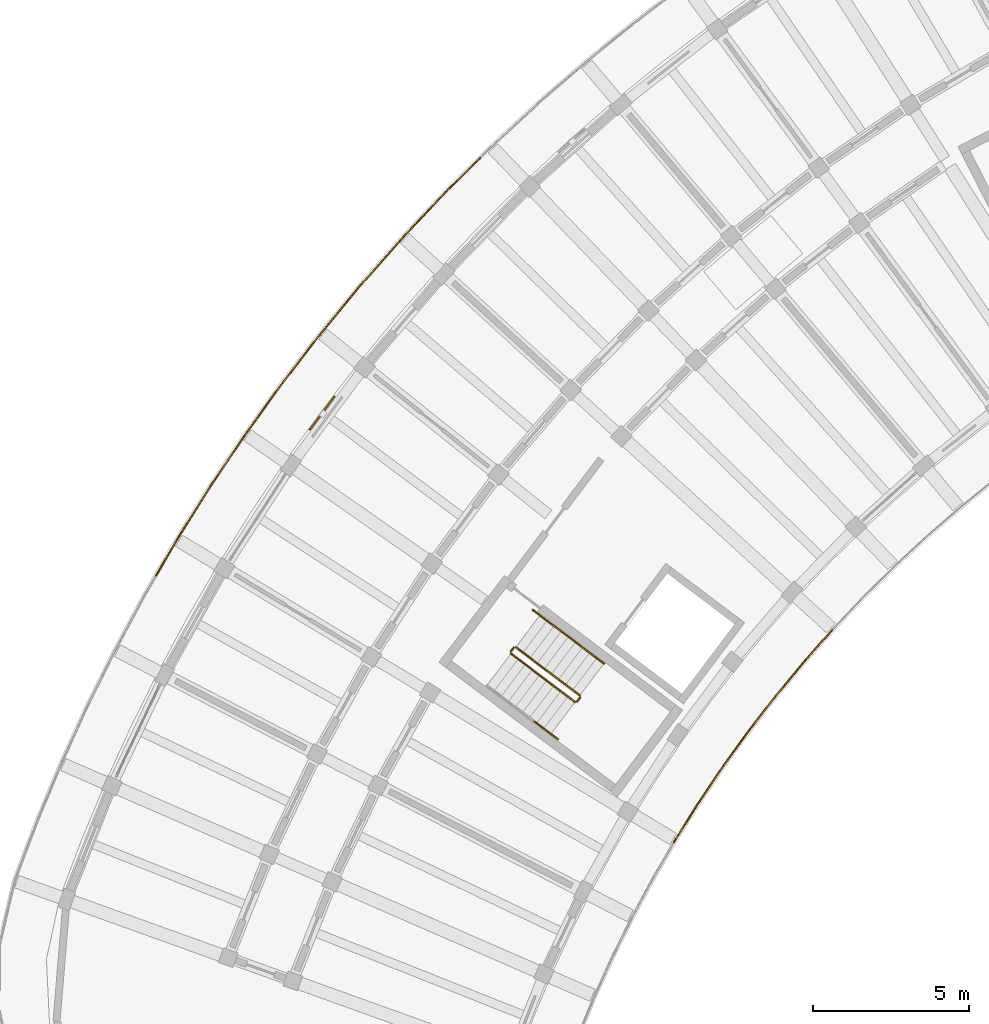
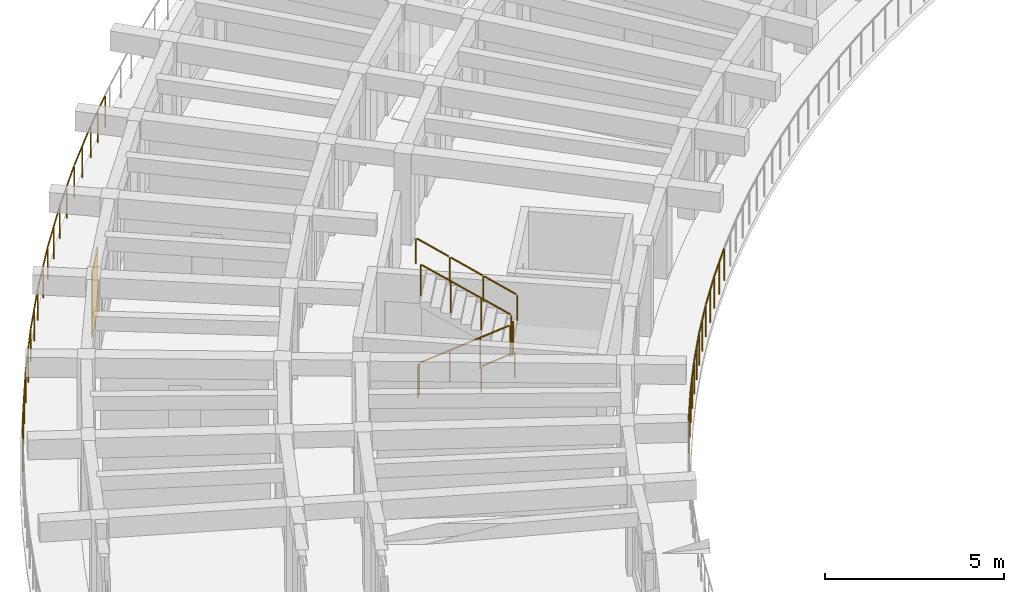
# One storey, part 53 of 62: 11 railings, 1 shading device.
"""IFC4 building model written with IfcOpenShell, lengths in metres."""

from ifc_helpers import new_model, si_unit, direction, frame, origin, origin_2d, place, context, subcontext, project, spatial, rectangle, circle, extrude, material, layer, layer_set, type_object, element, save


model = new_model("IFC4")

# Units and contexts
model_context = context("Model", 3, precision=1e-05, world=origin(), true_north=direction((0.0, 1.0)))
body_context = subcontext(model_context, "Body", "Model", "MODEL_VIEW")
ifc_project = project(units=[si_unit("LENGTHUNIT", "METRE"), si_unit("AREAUNIT", "SQUARE_METRE"), si_unit("VOLUMEUNIT", "CUBIC_METRE"), si_unit("PLANEANGLEUNIT", "RADIAN"), si_unit("MASSUNIT", "GRAM", prefix="KILO")], contexts=[model_context])

# Site, building, storey
site_placement = place(None, origin())
site = spatial("IfcSite", under=ifc_project, at=site_placement, CompositionType="ELEMENT")
building_placement = place(site_placement, origin())
building = spatial("IfcBuilding", under=site, at=building_placement, Name="Tanwirah Colonnade Gardens", CompositionType="ELEMENT")
storey_placement = place(building_placement, frame((0.0, 0.0, 32.360107421875)))
storey = spatial("IfcBuildingStorey", under=building, at=storey_placement, Name="L09", CompositionType="ELEMENT", Elevation=32.360107421875)

# Railings
ifc_material_1 = material(Name="Precast concrete C40/50", Category="concrete")
railing_type_1 = type_object("IfcRailingType", Name="BAL-EXT112", PredefinedType="BALUSTRADE", material=ifc_material_1)
railing_1_placement = place(storey_placement, frame((33.495361328125, 88.99267578125, 0.0)))
element("IfcRailing", 1, at=railing_1_placement, inside=storey, type_object=railing_type_1, Name="Block A L09 Balcony Ribbon Balustrade 5", PredefinedType="BALUSTRADE", context=body_context, shape_type="SweptSolid", body=[
    extrude(circle(Radius=0.02392578125, at=origin_2d()), frame((-0.020751953125, -0.0234375, 1.09619140625), z_axis=(-0.662607966926, -0.748966409238, 0.0), x_axis=(0.748966409238, -0.662607966926, 0.0)), (0.0, 0.0, 1.0), 1.328369140625),
    extrude(circle(Radius=0.02392578125, at=origin_2d()), frame((-0.943359375, -1.06787109375, 1.09619140625), z_axis=(-0.637581943595, -0.770382544715, 0.0), x_axis=(0.770382544715, -0.637581943595, 0.0)), (0.0, 0.0, 1.0), 1.342041015625),
    extrude(circle(Radius=0.02392578125, at=origin_2d()), frame((-1.839599609375, -2.15234375, 1.09619140625), z_axis=(-0.611783903817, -0.791024939576, 0.0), x_axis=(0.791024939576, -0.611783903817, 0.0)), (0.0, 0.0, 1.0), 1.341796875),
    extrude(circle(Radius=0.02392578125, at=origin_2d()), frame((-2.699462890625, -3.26611328125, 1.09619140625), z_axis=(-0.585522290474, -0.810656306556, 0.0), x_axis=(0.810656306556, -0.585522290474, 0.0)), (0.0, 0.0, 1.0), 1.341796875),
    extrude(circle(Radius=0.02392578125, at=origin_2d()), frame((-3.5224609375, -4.4072265625, 1.09619140625), z_axis=(-0.558385571779, -0.829581553091, 0.0), x_axis=(0.829581553091, -0.558385571779, 0.0)), (0.0, 0.0, 1.0), 1.341796875),
    extrude(circle(Radius=0.02392578125, at=origin_2d()), frame((-4.30712890625, -5.5751953125, 1.09619140625), z_axis=(-0.530764445851, -0.847519382091, 0.0), x_axis=(0.847519382091, -0.530764445851, 0.0)), (0.0, 0.0, 1.0), 1.341796875),
    extrude(circle(Radius=0.02392578125, at=origin_2d()), frame((-5.052978515625, -6.76806640625, 1.09619140625), z_axis=(-0.500901944117, -0.865504039494, 0.0), x_axis=(0.865504039494, -0.500901944117, 0.0)), (0.0, 0.0, 1.0), 0.009033203125),
    extrude(circle(Radius=0.02099609375, at=origin_2d()), origin(), (0.0, 0.0, 1.0), 1.069091796875),
    extrude(circle(Radius=0.02099609375, at=origin_2d()), frame((-0.4609375, -0.52099609375, 0.0)), (0.0, 0.0, 1.0), 1.069091796875),
    extrude(circle(Radius=0.02099609375, at=origin_2d()), frame((-0.921630859375, -1.041748046875, 0.0)), (0.0, 0.0, 1.0), 1.069091796875),
    extrude(circle(Radius=0.02099609375, at=origin_2d()), frame((-1.37109375, -1.584716796875, 0.0)), (0.0, 0.0, 1.0), 1.069091796875),
    extrude(circle(Radius=0.02099609375, at=origin_2d()), frame((-1.81884765625, -2.125732421875, 0.0)), (0.0, 0.0, 1.0), 1.069091796875),
    extrude(circle(Radius=0.02099609375, at=origin_2d()), frame((-2.25, -2.68310546875, 0.0)), (0.0, 0.0, 1.0), 1.069091796875),
    extrude(circle(Radius=0.02099609375, at=origin_2d()), frame((-2.6796875, -3.238525390625, 0.0)), (0.0, 0.0, 1.0), 1.069091796875),
    extrude(circle(Radius=0.02099609375, at=origin_2d()), frame((-3.09228515625, -3.81005859375, 0.0)), (0.0, 0.0, 1.0), 1.069091796875),
    extrude(circle(Radius=0.02099609375, at=origin_2d()), frame((-3.50341796875, -4.379150390625, 0.0)), (0.0, 0.0, 1.0), 1.069091796875),
    extrude(circle(Radius=0.02099609375, at=origin_2d()), frame((-3.89697265625, -4.9638671875, 0.0)), (0.0, 0.0, 1.0), 1.069091796875),
    extrude(circle(Radius=0.02099609375, at=origin_2d()), frame((-4.2890625, -5.54638671875, 0.0)), (0.0, 0.0, 1.0), 1.069091796875),
    extrude(circle(Radius=0.02099609375, at=origin_2d()), frame((-4.6630859375, -6.1435546875, 0.0)), (0.0, 0.0, 1.0), 1.069091796875),
    extrude(circle(Radius=0.02099609375, at=origin_2d()), frame((-5.035888671875, -6.73876953125, 0.0)), (0.0, 0.0, 1.0), 1.069091796875),
    extrude(circle(Radius=0.02099609375, at=origin_2d()), frame((-5.0732421875, -6.802978515625, 0.0)), (0.0, 0.0, 1.0), 1.069091796875),
])
railing_2_placement = place(storey_placement, frame((11.830322265625, 90.732177734375, 0.0)))
element("IfcRailing", 2, at=railing_2_placement, inside=storey, type_object=railing_type_1, Name="Block A L09 Balcony Ribbon Balustrade 12", PredefinedType="BALUSTRADE", context=body_context, shape_type="SweptSolid", body=[
    extrude(circle(Radius=0.02392578125, at=origin_2d()), frame((0.015625, 0.027099609375, 1.09619140625), z_axis=(0.502480307247, 0.864588654118, 0.0), x_axis=(-0.864588654118, 0.502480307247, 0.0)), (0.0, 0.0, 1.0), 1.269775390625),
    extrude(circle(Radius=0.02392578125, at=origin_2d()), frame((0.68603515625, 1.178466796875, 1.09619140625), z_axis=(0.530812919598, 0.847489023167, 0.0), x_axis=(-0.847489023167, 0.530812919598, 0.0)), (0.0, 0.0, 1.0), 1.958984375),
    extrude(circle(Radius=0.02392578125, at=origin_2d()), frame((1.759765625, 2.890869140625, 1.09619140625), z_axis=(0.558345997542, 0.829608188863, 0.0), x_axis=(-0.829608188863, 0.558345997542, 0.0)), (0.0, 0.0, 1.0), 1.958984375),
    extrude(circle(Radius=0.02392578125, at=origin_2d()), frame((2.889404296875, 4.5673828125, 1.09619140625), z_axis=(0.585468507287, 0.810695150457, 0.0), x_axis=(-0.810695150457, 0.585468507287, 0.0)), (0.0, 0.0, 1.0), 1.958984375),
    extrude(circle(Radius=0.02392578125, at=origin_2d()), frame((4.07373046875, 6.20556640625, 1.09619140625), z_axis=(0.611793792994, 0.791017291122, 0.0), x_axis=(-0.791017291122, 0.611793792994, 0.0)), (0.0, 0.0, 1.0), 1.040771484375),
    extrude(circle(Radius=0.02099609375, at=origin_2d()), origin(), (0.0, 0.0, 1.0), 1.069091796875),
    extrude(circle(Radius=0.02099609375, at=origin_2d()), frame((0.66943359375, 1.15185546875, 0.0)), (0.0, 0.0, 1.0), 1.069091796875),
    extrude(circle(Radius=0.02099609375, at=origin_2d()), frame((1.2060546875, 2.00830078125, 0.0)), (0.0, 0.0, 1.0), 1.069091796875),
    extrude(circle(Radius=0.02099609375, at=origin_2d()), frame((1.742431640625, 2.864990234375, 0.0)), (0.0, 0.0, 1.0), 1.069091796875),
    extrude(circle(Radius=0.02099609375, at=origin_2d()), frame((2.306640625, 3.70361328125, 0.0)), (0.0, 0.0, 1.0), 1.069091796875),
    extrude(circle(Radius=0.02099609375, at=origin_2d()), frame((2.87109375, 4.5419921875, 0.0)), (0.0, 0.0, 1.0), 1.069091796875),
    extrude(circle(Radius=0.02099609375, at=origin_2d()), frame((3.462890625, 5.361328125, 0.0)), (0.0, 0.0, 1.0), 1.069091796875),
    extrude(circle(Radius=0.02099609375, at=origin_2d()), frame((4.0546875, 6.180908203125, 0.0)), (0.0, 0.0, 1.0), 1.069091796875),
    extrude(circle(Radius=0.02099609375, at=origin_2d()), frame((4.729736328125, 7.0537109375, 0.0)), (0.0, 0.0, 1.0), 1.069091796875),
])
railing_3_placement = place(storey_placement, frame((16.56005859375, 97.785888671875, 0.0)))
element("IfcRailing", 3, at=railing_3_placement, inside=storey, type_object=railing_type_1, Name="Block A L09 Balcony Ribbon Balustrade 13", PredefinedType="BALUSTRADE", context=body_context, shape_type="SweptSolid", body=[
    extrude(circle(Radius=0.02392578125, at=origin_2d()), frame((0.01904296875, 0.024658203125, 1.09619140625), z_axis=(0.611931792554, 0.790910539354, 0.0), x_axis=(-0.790910539354, 0.611931792554, 0.0)), (0.0, 0.0, 1.0), 0.85546875),
    extrude(circle(Radius=0.02392578125, at=origin_2d()), frame((0.581787109375, 0.750244140625, 1.09619140625), z_axis=(0.637555355491, 0.770404548717, 0.0), x_axis=(-0.770404548717, 0.637555355491, 0.0)), (0.0, 0.0, 1.0), 1.958984375),
    extrude(circle(Radius=0.02392578125, at=origin_2d()), frame((1.871337890625, 2.306884765625, 1.09619140625), z_axis=(0.662607760508, 0.748966591854, 0.0), x_axis=(-0.748966591854, 0.662607760508, 0.0)), (0.0, 0.0, 1.0), 1.958740234375),
    extrude(circle(Radius=0.02392578125, at=origin_2d()), frame((3.21142578125, 3.820068359375, 1.09619140625), z_axis=(0.686960364449, 0.726694886232, 0.0), x_axis=(-0.726694886232, 0.686960364449, 0.0)), (0.0, 0.0, 1.0), 1.958984375),
    extrude(circle(Radius=0.02392578125, at=origin_2d()), frame((4.600830078125, 5.288330078125, 1.09619140625), z_axis=(0.71047657319, 0.703720853001, 0.0), x_axis=(-0.703720853001, 0.71047657319, 0.0)), (0.0, 0.0, 1.0), 1.455322265625),
    extrude(circle(Radius=0.02099609375, at=origin_2d()), origin(), (0.0, 0.0, 1.0), 1.069091796875),
    extrude(circle(Radius=0.02099609375, at=origin_2d()), frame((0.561767578125, 0.72607421875, 0.0)), (0.0, 0.0, 1.0), 1.069091796875),
    extrude(circle(Radius=0.02099609375, at=origin_2d()), frame((1.2060546875, 1.5048828125, 0.0)), (0.0, 0.0, 1.0), 1.069091796875),
    extrude(circle(Radius=0.02099609375, at=origin_2d()), frame((1.8505859375, 2.283447265625, 0.0)), (0.0, 0.0, 1.0), 1.069091796875),
    extrude(circle(Radius=0.02099609375, at=origin_2d()), frame((2.520263671875, 3.04052734375, 0.0)), (0.0, 0.0, 1.0), 1.069091796875),
    extrude(circle(Radius=0.02099609375, at=origin_2d()), frame((3.18994140625, 3.79736328125, 0.0)), (0.0, 0.0, 1.0), 1.069091796875),
    extrude(circle(Radius=0.02099609375, at=origin_2d()), frame((3.88427734375, 4.53173828125, 0.0)), (0.0, 0.0, 1.0), 1.069091796875),
    extrude(circle(Radius=0.02099609375, at=origin_2d()), frame((4.57861328125, 5.266357421875, 0.0)), (0.0, 0.0, 1.0), 1.069091796875),
    extrude(circle(Radius=0.02099609375, at=origin_2d()), frame((5.11767578125, 5.80029296875, 0.0)), (0.0, 0.0, 1.0), 1.069091796875),
    extrude(circle(Radius=0.02099609375, at=origin_2d()), frame((5.656982421875, 6.33447265625, 0.0)), (0.0, 0.0, 1.0), 1.069091796875),
])
ifc_material_2 = material(Name="Powder-coated galvanized steel", Category="steel")
railing_type_2 = type_object("IfcRailingType", Name="GRD-ST110", PredefinedType="GUARDRAIL", material=ifc_material_2)
railing_4_placement = place(storey_placement, frame((23.201416015625, 88.22900390625, 0.16796875)))
element("IfcRailing", 4, at=railing_4_placement, inside=storey, type_object=railing_type_2, Name="L09 ST-A2 stair guard 1", PredefinedType="GUARDRAIL", context=body_context, shape_type="SweptSolid", body=[
    extrude(circle(Radius=0.02392578125, at=origin_2d()), frame((0.021484375, -0.01611328125, 1.092041015625), z_axis=(0.688012363654, -0.518448596756, 0.507789365762), x_axis=(0.601810650199, 0.798638805285, 0.0)), (0.0, 0.0, 1.0), 2.9150390625),
    extrude(circle(Radius=0.02099609375, at=origin_2d()), origin(), (0.0, 0.0, 1.0), 1.049072265625),
    extrude(circle(Radius=0.02099609375, at=origin_2d()), frame((0.682861328125, -0.5146484375, 0.50390625)), (0.0, 0.0, 1.0), 1.049072265625),
    extrude(circle(Radius=0.02099609375, at=origin_2d()), frame((1.36572265625, -1.029052734375, 1.008056640625)), (0.0, 0.0, 1.0), 1.049072265625),
    extrude(circle(Radius=0.02099609375, at=origin_2d()), frame((2.048583984375, -1.543701171875, 1.511962890625)), (0.0, 0.0, 1.0), 1.049072265625),
])
railing_5_placement = place(storey_placement, frame((25.320068359375, 86.695068359375, 1.679931640625)))
element("IfcRailing", 5, at=railing_5_placement, inside=storey, type_object=railing_type_2, Name="L09 ST-A2 stair guard 2", PredefinedType="GUARDRAIL", context=body_context, shape_type="SweptSolid", body=[
    extrude(circle(Radius=0.02392578125, at=origin_2d()), frame((0.018798828125, 0.02490234375, 1.076171875), z_axis=(0.600975757569, 0.799267251183, 0.0), x_axis=(-0.799267251183, 0.600975757569, 0.0)), (0.0, 0.0, 1.0), 0.09765625),
    extrude(circle(Radius=0.02099609375, at=origin_2d()), origin(), (0.0, 0.0, 1.0), 1.049072265625),
    extrude(circle(Radius=0.02099609375, at=origin_2d()), frame((0.09619140625, 0.1279296875, 0.0)), (0.0, 0.0, 1.0), 1.049072265625),
])
railing_6_placement = place(storey_placement, frame((25.406494140625, 86.89306640625, 1.847900390625)))
element("IfcRailing", 6, at=railing_6_placement, inside=storey, type_object=railing_type_2, Name="L09 ST-A2 stair guard 3", PredefinedType="GUARDRAIL", context=body_context, shape_type="SweptSolid", body=[
    extrude(circle(Radius=0.02392578125, at=origin_2d()), frame((-0.021484375, 0.01611328125, 1.092041015625), z_axis=(-0.688041610417, 0.518388637952, 0.507810951414), x_axis=(-0.60174993816, -0.798684550949, 0.0)), (0.0, 0.0, 1.0), 2.914794921875),
    extrude(circle(Radius=0.02099609375, at=origin_2d()), origin(), (0.0, 0.0, 1.0), 1.049072265625),
    extrude(circle(Radius=0.02099609375, at=origin_2d()), frame((-0.682861328125, 0.514404296875, 0.50390625)), (0.0, 0.0, 1.0), 1.049072265625),
    extrude(circle(Radius=0.02099609375, at=origin_2d()), frame((-1.36572265625, 1.029052734375, 1.008056640625)), (0.0, 0.0, 1.0), 1.049072265625),
    extrude(circle(Radius=0.02099609375, at=origin_2d()), frame((-2.048583984375, 1.54345703125, 1.511962890625)), (0.0, 0.0, 1.0), 1.049072265625),
])
railing_7_placement = place(storey_placement, frame((23.191650390625, 88.299072265625, 0.0)))
element("IfcRailing", 7, at=railing_7_placement, inside=storey, type_object=railing_type_2, Name="L09 ST-A2 stair guard 4", PredefinedType="GUARDRAIL", context=body_context, shape_type="SweptSolid", body=[
    extrude(circle(Radius=0.02392578125, at=origin_2d()), frame((0.018798828125, 0.02490234375, 1.076171875), z_axis=(0.602681987584, 0.797981467104, 0.0), x_axis=(-0.797981467104, 0.602681987584, 0.0)), (0.0, 0.0, 1.0), 0.097412109375),
    extrude(circle(Radius=0.02099609375, at=origin_2d()), origin(), (0.0, 0.0, 1.0), 1.049072265625),
    extrude(circle(Radius=0.02099609375, at=origin_2d()), frame((0.096435546875, 0.127685546875, 0.0)), (0.0, 0.0, 1.0), 1.049072265625),
])
ifc_material_3 = material(Name="Brushed bronze stainless steel", Category="steel")
railing_type_3 = type_object("IfcRailingType", Name="HR-ST090", PredefinedType="HANDRAIL", material=ifc_material_3)
railing_8_placement = place(storey_placement, frame((23.94873046875, 86.063232421875, 1.2998046875)))
element("IfcRailing", 8, at=railing_8_placement, inside=storey, type_object=railing_type_3, Name="L09 ST-A2 stair handrail 3", PredefinedType="HANDRAIL", context=body_context, shape_type="SweptSolid", body=[
    extrude(circle(Radius=0.02392578125, at=origin_2d()), frame((0.021484375, -0.01611328125, 0.891845703125), z_axis=(0.685950957095, -0.517057335538, 0.511979488092), x_axis=(0.601931007785, 0.798548096152, 0.0)), (0.0, 0.0, 1.0), 1.043212890625),
    extrude(circle(Radius=0.02099609375, at=origin_2d()), origin(), (0.0, 0.0, 1.0), 0.848876953125),
    extrude(circle(Radius=0.02099609375, at=origin_2d()), frame((0.758544921875, -0.57177734375, 0.566162109375)), (0.0, 0.0, 1.0), 0.848876953125),
])
railing_9_placement = place(storey_placement, frame((26.1767578125, 87.915283203125, 1.847900390625)))
element("IfcRailing", 9, at=railing_9_placement, inside=storey, type_object=railing_type_3, Name="L09 ST-A2 stair handrail 4", PredefinedType="HANDRAIL", context=body_context, shape_type="SweptSolid", body=[
    extrude(circle(Radius=0.02392578125, at=origin_2d()), frame((-0.021484375, 0.01611328125, 0.891845703125), z_axis=(-0.686028488458, 0.517115777267, 0.511816554955), x_axis=(-0.601931007785, -0.798548096152, 0.0)), (0.0, 0.0, 1.0), 1.043212890625),
    extrude(circle(Radius=0.02099609375, at=origin_2d()), origin(), (0.0, 0.0, 1.0), 0.848876953125),
    extrude(circle(Radius=0.02099609375, at=origin_2d()), frame((-0.758544921875, 0.57177734375, 0.56591796875)), (0.0, 0.0, 1.0), 0.848876953125),
])
railing_10_placement = place(storey_placement, frame((25.418212890625, 88.487060546875, 2.413818359375)))
element("IfcRailing", 10, at=railing_10_placement, inside=storey, type_object=railing_type_3, Name="L09 ST-A2 stair handrail 5", PredefinedType="HANDRAIL", context=body_context, shape_type="SweptSolid", body=[
    extrude(circle(Radius=0.02392578125, at=origin_2d()), frame((-0.021484375, 0.01611328125, 0.891845703125), z_axis=(-0.686146115326, 0.516817263828, 0.511960373694), x_axis=(-0.601643549736, -0.798764695677, 0.0)), (0.0, 0.0, 1.0), 1.04345703125),
    extrude(circle(Radius=0.02099609375, at=origin_2d()), origin(), (0.0, 0.0, 1.0), 0.848876953125),
    extrude(circle(Radius=0.02099609375, at=origin_2d()), frame((-0.7587890625, 0.571533203125, 0.566162109375)), (0.0, 0.0, 1.0), 0.848876953125),
])
railing_11_placement = place(storey_placement, frame((24.659423828125, 89.05859375, 2.97998046875)))
element("IfcRailing", 11, at=railing_11_placement, inside=storey, type_object=railing_type_3, Name="L09 ST-A2 stair handrail 6", PredefinedType="HANDRAIL", context=body_context, shape_type="SweptSolid", body=[
    extrude(circle(Radius=0.02392578125, at=origin_2d()), frame((-0.021484375, 0.01611328125, 0.891845703125), z_axis=(-0.686145346169, 0.517037451972, 0.51173903231), x_axis=(-0.601807485929, -0.798641189696, 0.0)), (0.0, 0.0, 1.0), 1.04345703125),
    extrude(circle(Radius=0.02099609375, at=origin_2d()), origin(), (0.0, 0.0, 1.0), 0.848876953125),
    extrude(circle(Radius=0.02099609375, at=origin_2d()), frame((-0.7587890625, 0.57177734375, 0.56591796875)), (0.0, 0.0, 1.0), 0.848876953125),
])

# Shading device
ifc_material_4 = material(Name="Perforated architectural bronze aluminium", Category="aluminium")
ifc_layer = layer(ifc_material_4, 0.044921875)
ifc_layer_set = layer_set([ifc_layer], Name="Perforated architectural bronze aluminium")
shading_device_type = type_object("IfcShadingDeviceType", Name="SHD-MSH1", PredefinedType="JALOUSIE", material=ifc_layer_set)
shading_device_placement = place(storey_placement, frame((17.145751953125, 95.936279296875, 0.0), z_axis=(0.0, 0.0, 1.0), x_axis=(-0.598712697637, -0.800963860413, 0.0)))
element("IfcShadingDevice", 12, at=shading_device_placement, inside=storey, type_object=shading_device_type, Name="Bronze mashrabiya solar screen A-L09-12", PredefinedType="JALOUSIE", context=body_context, shape_type="SweptSolid", body=[
    extrude(rectangle(XDim=1.35009765625, YDim=0.044921875, at=origin_2d()), origin(), (0.0, 0.0, 1.0), 2.199951171875),
])

save(model, "model.ifc")
